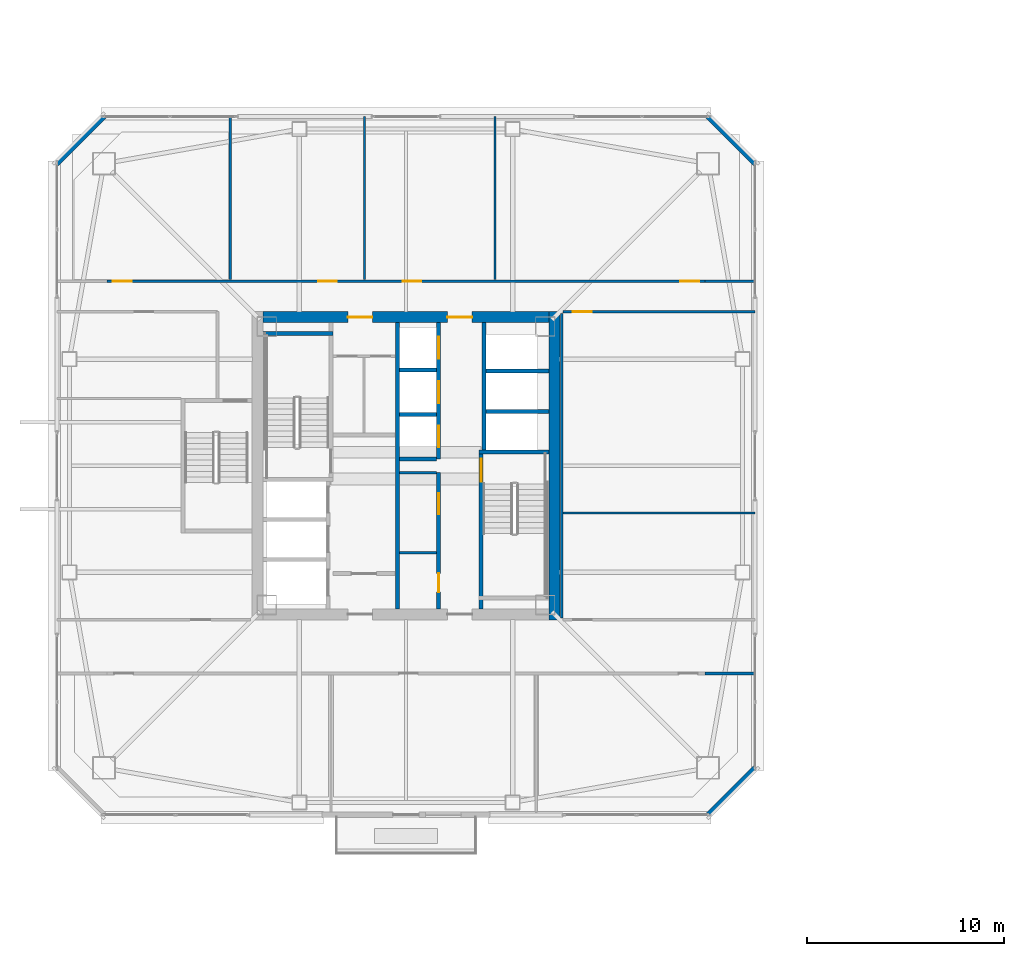
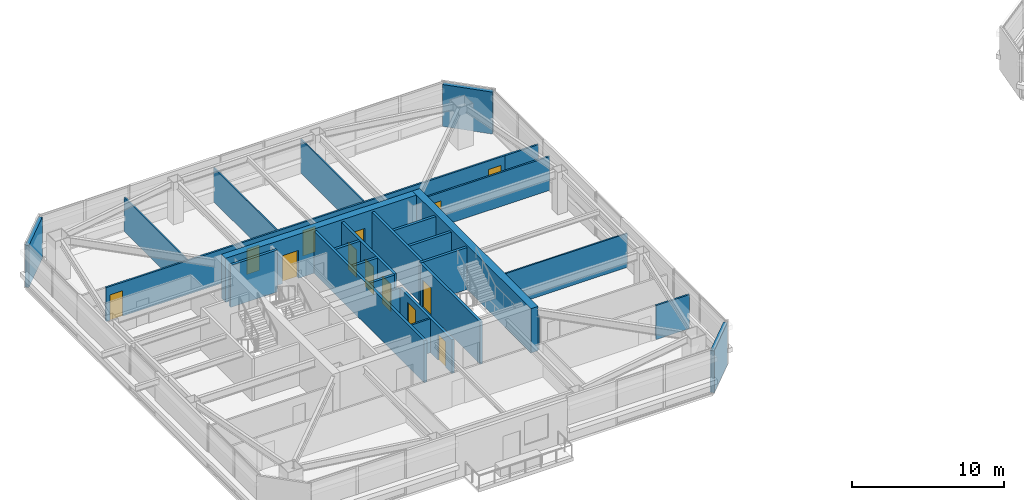
# One storey, part 35 of 44: 28 walls, 13 doors, 13 openings.
"""IFC4 building model written with IfcOpenShell, lengths in metres."""

from ifc_helpers import new_model, si_unit, direction, frame, frame_2d, origin, place, context, subcontext, project, spatial, rectangle, extrude, material, layer, layer_set, type_object, element, fill, save


model = new_model("IFC4")

# Units and contexts
model_context = context("Model", 3, precision=1e-05, world=origin(), true_north=direction((0.0, 1.0)))
body_context = subcontext(model_context, "Body", "Model", "MODEL_VIEW")
ifc_project = project(units=[si_unit("LENGTHUNIT", "METRE"), si_unit("AREAUNIT", "SQUARE_METRE"), si_unit("VOLUMEUNIT", "CUBIC_METRE"), si_unit("PLANEANGLEUNIT", "RADIAN"), si_unit("MASSUNIT", "GRAM", prefix="KILO")], contexts=[model_context])

# Site, building, storey
site_placement = place(None, origin())
site = spatial("IfcSite", under=ifc_project, at=site_placement, CompositionType="ELEMENT")
building_placement = place(site_placement, origin())
building = spatial("IfcBuilding", under=site, at=building_placement, Name="Tashvorn Skyway Center", CompositionType="ELEMENT")
storey_placement = place(building_placement, frame((0.0, 0.0, 181.85009765625)))
storey = spatial("IfcBuildingStorey", under=building, at=storey_placement, Name="L49", CompositionType="ELEMENT", Elevation=181.85009765625)

# Wall
ifc_material_1 = material(Name="Concrete C60/75", Category="concrete")
ifc_layer_1 = layer(ifc_material_1, 0.550048828125)
ifc_layer_set_1 = layer_set([ifc_layer_1], Name="Concrete C60/75")
wall_type_1 = type_object("IfcWallType", Name="WALL-CORE-550", PredefinedType="SHEAR", material=ifc_layer_set_1)
wall_1_placement = place(storey_placement, frame((49.52490234375, 39.800048828125, 0.0), z_axis=(0.0, 0.0, 1.0), x_axis=(0.0, -1.0, 0.0)))
element("IfcWall", 1, at=wall_1_placement, inside=storey, type_object=wall_type_1, Name="Tower 1 L49 East Core Shear Wall", PredefinedType="SHEAR", context=body_context, shape_type="SweptSolid", body=[
    extrude(rectangle(XDim=15.60009765625, YDim=0.550048828125, at=frame_2d((7.800048828125, 0.0))), origin(), (0.0, 0.0, 1.0), 3.5498046875),
])

# Wall, openings, doors
wall_2_placement = place(storey_placement, frame((34.75, 39.52490234375, 0.0), z_axis=(0.0, 0.0, 1.0), x_axis=(1.0, 0.0, 0.0)))
wall_2 = element("IfcWall", 2, at=wall_2_placement, inside=storey, type_object=wall_type_1, Name="Tower 1 L49 North Core Shear Wall", PredefinedType="SHEAR", context=body_context, shape_type="SweptSolid", body=[
    extrude(rectangle(XDim=14.5, YDim=0.550048828125, at=frame_2d((7.25, 0.0))), origin(), (0.0, 0.0, 1.0), 3.5498046875),
])
opening_1_placement = place(wall_2_placement, frame((4.300048828125, 0.0, 0.0)))
opening_1 = element("IfcOpeningElement", 3, at=opening_1_placement, cuts=wall_2, Name="Opening D-FFL-1250", PredefinedType="OPENING", context=body_context, shape_type="SweptSolid", body=[
    extrude(rectangle(XDim=1.25, YDim=2.25, at=frame_2d((0.625, 1.125))), frame((0.0, 0.284912109375, 0.0), z_axis=(0.0, -1.0, 0.0), x_axis=(1.0, 0.0, 0.0)), (0.0, 0.0, 1.0), 0.570068359375),
])
opening_2_placement = place(wall_2_placement, frame((9.35009765625, 0.0, 0.0)))
opening_2 = element("IfcOpeningElement", 4, at=opening_2_placement, cuts=wall_2, Name="Opening D-FFL-1250", PredefinedType="OPENING", context=body_context, shape_type="SweptSolid", body=[
    extrude(rectangle(XDim=1.25, YDim=2.25, at=frame_2d((0.625, 1.125))), frame((0.0, 0.284912109375, 0.0), z_axis=(0.0, -1.0, 0.0), x_axis=(1.0, 0.0, 0.0)), (0.0, 0.0, 1.0), 0.570068359375),
])
ifc_material_2 = material(Name="Hollow galvanized steel fire door assembly", Category="steel")
door_type_1 = type_object("IfcDoorType", Name="DOOR-FFL-1250", OperationType="NOTDEFINED", PredefinedType="DOOR", material=ifc_material_2)
door_1_placement = place(opening_1_placement, origin())
door_1 = element("IfcDoor", 5, at=door_1_placement, inside=storey, type_object=door_type_1, Name="Tower 1 L49 Core North Service Lobby Door", OperationType="SINGLE_SWING_LEFT", OverallHeight=2.25, OverallWidth=1.25, PredefinedType="DOOR", context=body_context, shape_type="SweptSolid", body=[
    extrude(rectangle(XDim=1.25, YDim=2.25, at=frame_2d((0.625, 1.125))), frame((0.0, 0.02490234375, 0.0), z_axis=(0.0, -1.0, 0.0), x_axis=(1.0, 0.0, 0.0)), (0.0, 0.0, 1.0), 0.050048828125),
])
fill(opening_1, door_1)
door_2_placement = place(opening_2_placement, origin())
door_2 = element("IfcDoor", 6, at=door_2_placement, inside=storey, type_object=door_type_1, Name="Tower 1 L49 Core North Lift Lobby Door", OperationType="SINGLE_SWING_RIGHT", OverallHeight=2.25, OverallWidth=1.25, PredefinedType="DOOR", context=body_context, shape_type="SweptSolid", body=[
    extrude(rectangle(XDim=1.25, YDim=2.25, at=frame_2d((0.625, 1.125))), frame((0.0, 0.02490234375, 0.0), z_axis=(0.0, -1.0, 0.0), x_axis=(1.0, 0.0, 0.0)), (0.0, 0.0, 1.0), 0.050048828125),
])
fill(opening_2, door_2)

# Walls
ifc_material_3 = material(Name="Precast concrete C40/50", Category="concrete")
ifc_layer_2 = layer(ifc_material_3, 0.280029296875)
ifc_layer_set_2 = layer_set([ifc_layer_2], Name="Precast concrete C40/50")
wall_type_2 = type_object("IfcWallType", Name="WALL-EXT-280", PredefinedType="SOLIDWALL", material=ifc_layer_set_2)
for number, where, z_axis, x_axis, name in (
    (7, (24.300048828125, 47.300048828125, 0.0), (0.0, 0.0, 1.0), (0.707106781187, 0.707106781187, 0.0), "Tower 1 L49 NW Precast Chamfer Wall"),
    (8, (57.300048828125, 49.699951171875, 0.0), (0.0, 0.0, 1.0), (0.707106781187, -0.707106781187, 0.0), "Tower 1 L49 NE Precast Chamfer Wall"),
    (9, (59.699951171875, 16.699951171875, 0.0), (0.0, 0.0, 1.0), (-0.707106781187, -0.707106781187, 0.0), "Tower 1 L49 SE Precast Chamfer Wall"),
):
    element("IfcWall", number, at=place(storey_placement, frame(where, z_axis=z_axis, x_axis=x_axis)), inside=storey, type_object=wall_type_2, Name=name, PredefinedType="SOLIDWALL", context=body_context, shape_type="SweptSolid", body=[
        extrude(rectangle(XDim=3.39404296875, YDim=0.280029296875, at=frame_2d((1.697021484375, 0.0))), origin(), (0.0, 0.0, 1.0), 3.369873046875),
    ])
ifc_material_4 = material(Name="Gypsum board on cold-formed steel stud framing", Category="steel")
ifc_layer_3 = layer(ifc_material_4, 0.110107421875)
ifc_layer_set_3 = layer_set([ifc_layer_3], Name="Gypsum board on cold-formed steel stud framing")
wall_type_3 = type_object("IfcWallType", Name="WALL-PART-110", PredefinedType="PARTITIONING", material=ifc_layer_set_3)
for number, where, z_axis, x_axis, name in (
    (10, (33.10009765625, 41.429931640625, 0.0), (0.0, 0.0, 1.0), (0.0, 1.0, 0.0), "Tower 1 L49 North Suite Partition 1"),
    (11, (39.89990234375, 41.429931640625, 0.0), (0.0, 0.0, 1.0), (0.0, 1.0, 0.0), "Tower 1 L49 North Suite Partition 2"),
    (12, (46.5, 41.429931640625, 0.0), (0.0, 0.0, 1.0), (0.0, 1.0, 0.0), "Tower 1 L49 North Suite Partition 3"),
):
    element("IfcWall", number, at=place(storey_placement, frame(where, z_axis=z_axis, x_axis=x_axis)), inside=storey, type_object=wall_type_3, Name=name, PredefinedType="PARTITIONING", context=body_context, shape_type="SweptSolid", body=[
        extrude(rectangle(XDim=8.25, YDim=0.110107421875, at=frame_2d((4.125, 0.0))), origin(), (0.0, 0.0, 1.0), 2.722900390625),
    ])
wall_3_placement = place(storey_placement, frame((49.9599609375, 29.60009765625, 0.0), z_axis=(0.0, 0.0, 1.0), x_axis=(1.0, 0.0, 0.0)))
element("IfcWall", 13, at=wall_3_placement, inside=storey, type_object=wall_type_3, Name="Tower 1 L49 East Mid Partition", PredefinedType="PARTITIONING", context=body_context, shape_type="SweptSolid", body=[
    extrude(rectangle(XDim=9.719970703125, YDim=0.110107421875, at=frame_2d((4.85986328125, 0.0))), origin(), (0.0, 0.0, 1.0), 2.722900390625),
])

# Wall, openings, doors
ifc_layer_4 = layer(ifc_material_4, 0.135009765625)
ifc_layer_set_4 = layer_set([ifc_layer_4], Name="Gypsum board on cold-formed steel stud framing")
wall_type_4 = type_object("IfcWallType", Name="WALL-PART-135", PredefinedType="PARTITIONING", material=ifc_layer_set_4)
wall_4_placement = place(storey_placement, frame((26.85009765625, 41.35009765625, 0.0), z_axis=(0.0, 0.0, 1.0), x_axis=(1.0, 0.0, 0.0)))
wall_4 = element("IfcWall", 14, at=wall_4_placement, inside=storey, type_object=wall_type_4, Name="Tower 1 L49 North Suite Wall", PredefinedType="PARTITIONING", context=body_context, shape_type="SweptSolid", body=[
    extrude(rectangle(XDim=30.2998046875, YDim=0.135009765625, at=frame_2d((15.14990234375, 0.0))), origin(), (0.0, 0.0, 1.0), 2.722900390625),
])
opening_3_placement = place(wall_4_placement, frame((0.300048828125, 0.0, 0.0)))
opening_3 = element("IfcOpeningElement", 15, at=opening_3_placement, cuts=wall_4, Name="Opening D-INT-950", PredefinedType="OPENING", context=body_context, shape_type="SweptSolid", body=[
    extrude(rectangle(XDim=0.949951171875, YDim=2.050048828125, at=frame_2d((0.47509765625, 1.02490234375))), frame((0.0, 0.077392578125, 0.0), z_axis=(0.0, -1.0, 0.0), x_axis=(1.0, 0.0, 0.0)), (0.0, 0.0, 1.0), 0.155029296875),
])
opening_4_placement = place(wall_4_placement, frame((10.701904296875, 0.0, 0.0)))
opening_4 = element("IfcOpeningElement", 16, at=opening_4_placement, cuts=wall_4, Name="Opening D-INT-950", PredefinedType="OPENING", context=body_context, shape_type="SweptSolid", body=[
    extrude(rectangle(XDim=0.949951171875, YDim=2.050048828125, at=frame_2d((0.47509765625, 1.02490234375))), frame((0.0, 0.077392578125, 0.0), z_axis=(0.0, -1.0, 0.0), x_axis=(1.0, 0.0, 0.0)), (0.0, 0.0, 1.0), 0.155029296875),
])
opening_5_placement = place(wall_4_placement, frame((14.97412109375, 0.0, 0.0)))
opening_5 = element("IfcOpeningElement", 17, at=opening_5_placement, cuts=wall_4, Name="Opening D-INT-950", PredefinedType="OPENING", context=body_context, shape_type="SweptSolid", body=[
    extrude(rectangle(XDim=0.949951171875, YDim=2.050048828125, at=frame_2d((0.47509765625, 1.02490234375))), frame((0.0, 0.077392578125, 0.0), z_axis=(0.0, -1.0, 0.0), x_axis=(1.0, 0.0, 0.0)), (0.0, 0.0, 1.0), 0.155029296875),
])
opening_6_placement = place(wall_4_placement, frame((29.050048828125, 0.0, 0.0)))
opening_6 = element("IfcOpeningElement", 18, at=opening_6_placement, cuts=wall_4, Name="Opening D-INT-950", PredefinedType="OPENING", context=body_context, shape_type="SweptSolid", body=[
    extrude(rectangle(XDim=0.949951171875, YDim=2.050048828125, at=frame_2d((0.47509765625, 1.02490234375))), frame((0.0, 0.077392578125, 0.0), z_axis=(0.0, -1.0, 0.0), x_axis=(1.0, 0.0, 0.0)), (0.0, 0.0, 1.0), 0.155029296875),
])
ifc_material_5 = material(Name="Solid-core architectural oak veneer door")
door_type_2 = type_object("IfcDoorType", Name="DOOR-INT-950", OperationType="NOTDEFINED", PredefinedType="DOOR", material=ifc_material_5)
door_3_placement = place(opening_3_placement, origin())
door_3 = element("IfcDoor", 19, at=door_3_placement, inside=storey, type_object=door_type_2, Name="Tower 1 L49 Conference Room Door", OperationType="SINGLE_SWING_RIGHT", OverallHeight=2.050048828125, OverallWidth=0.949951171875, PredefinedType="DOOR", context=body_context, shape_type="SweptSolid", body=[
    extrude(rectangle(XDim=0.949951171875, YDim=2.050048828125, at=frame_2d((0.47509765625, 1.02490234375))), frame((0.0, 0.02490234375, 0.0), z_axis=(0.0, -1.0, 0.0), x_axis=(1.0, 0.0, 0.0)), (0.0, 0.0, 1.0), 0.050048828125),
])
fill(opening_3, door_3)
door_4_placement = place(opening_4_placement, origin())
door_4 = element("IfcDoor", 20, at=door_4_placement, inside=storey, type_object=door_type_2, Name="Tower 1 L49 Conference Room Door", OperationType="SINGLE_SWING_LEFT", OverallHeight=2.050048828125, OverallWidth=0.949951171875, PredefinedType="DOOR", context=body_context, shape_type="SweptSolid", body=[
    extrude(rectangle(XDim=0.949951171875, YDim=2.050048828125, at=frame_2d((0.47509765625, 1.02490234375))), frame((0.0, 0.02490234375, 0.0), z_axis=(0.0, -1.0, 0.0), x_axis=(1.0, 0.0, 0.0)), (0.0, 0.0, 1.0), 0.050048828125),
])
fill(opening_4, door_4)
door_5_placement = place(opening_5_placement, origin())
door_5 = element("IfcDoor", 21, at=door_5_placement, inside=storey, type_object=door_type_2, Name="Tower 1 L49 Design Studio Door", OperationType="SINGLE_SWING_RIGHT", OverallHeight=2.050048828125, OverallWidth=0.949951171875, PredefinedType="DOOR", context=body_context, shape_type="SweptSolid", body=[
    extrude(rectangle(XDim=0.949951171875, YDim=2.050048828125, at=frame_2d((0.47509765625, 1.02490234375))), frame((0.0, 0.02490234375, 0.0), z_axis=(0.0, -1.0, 0.0), x_axis=(1.0, 0.0, 0.0)), (0.0, 0.0, 1.0), 0.050048828125),
])
fill(opening_5, door_5)
door_6_placement = place(opening_6_placement, origin())
door_6 = element("IfcDoor", 22, at=door_6_placement, inside=storey, type_object=door_type_2, Name="Tower 1 L49 Gallery Showroom Door", OperationType="SINGLE_SWING_LEFT", OverallHeight=2.050048828125, OverallWidth=0.949951171875, PredefinedType="DOOR", context=body_context, shape_type="SweptSolid", body=[
    extrude(rectangle(XDim=0.949951171875, YDim=2.050048828125, at=frame_2d((0.47509765625, 1.02490234375))), frame((0.0, 0.02490234375, 0.0), z_axis=(0.0, -1.0, 0.0), x_axis=(1.0, 0.0, 0.0)), (0.0, 0.0, 1.0), 0.050048828125),
])
fill(opening_6, door_6)

# Walls
for number, where, z_axis, x_axis, name in (
    (23, (57.14990234375, 41.35009765625, 0.0), (0.0, 0.0, 1.0), (1.0, 0.0, 0.0), "Tower 1 L49 North-East Suite South Wall"),
    (24, (57.14990234375, 21.47998046875, 0.0), (0.0, 0.0, 1.0), (1.0, 0.0, 0.0), "Tower 1 L49 South-East Suite North Wall"),
):
    element("IfcWall", number, at=place(storey_placement, frame(where, z_axis=z_axis, x_axis=x_axis)), inside=storey, type_object=wall_type_4, Name=name, PredefinedType="PARTITIONING", context=body_context, shape_type="SweptSolid", body=[
        extrude(rectangle(XDim=2.530029296875, YDim=0.135009765625, at=frame_2d((1.26513671875, 0.0))), origin(), (0.0, 0.0, 1.0), 2.722900390625),
    ])
wall_5_placement = place(storey_placement, frame((49.8798828125, 39.719970703125, 0.0), z_axis=(0.0, 0.0, 1.0), x_axis=(0.0, -1.0, 0.0)))
element("IfcWall", 25, at=wall_5_placement, inside=storey, type_object=wall_type_4, Name="Tower 1 L49 East Inner Suite Wall", PredefinedType="PARTITIONING", context=body_context, shape_type="SweptSolid", body=[
    extrude(rectangle(XDim=15.43994140625, YDim=0.135009765625, at=frame_2d((7.719970703125, 0.0))), origin(), (0.0, 0.0, 1.0), 2.722900390625),
])

# Wall, opening, door
wall_6_placement = place(storey_placement, frame((59.679931640625, 39.800048828125, 0.0), z_axis=(0.0, 0.0, 1.0), x_axis=(-1.0, 0.0, 0.0)))
wall_6 = element("IfcWall", 26, at=wall_6_placement, inside=storey, type_object=wall_type_4, Name="Tower 1 L49 East Suite North Wall", PredefinedType="PARTITIONING", context=body_context, shape_type="SweptSolid", body=[
    extrude(rectangle(XDim=9.719970703125, YDim=0.135009765625, at=frame_2d((4.85986328125, 0.0))), origin(), (0.0, 0.0, 1.0), 2.722900390625),
])
opening_7_placement = place(wall_6_placement, frame((8.280029296875, 0.0, 0.0)))
opening_7 = element("IfcOpeningElement", 27, at=opening_7_placement, cuts=wall_6, Name="Opening D-INT-950", PredefinedType="OPENING", context=body_context, shape_type="SweptSolid", body=[
    extrude(rectangle(XDim=0.949951171875, YDim=2.050048828125, at=frame_2d((0.47509765625, 1.02490234375))), frame((0.0, 0.077392578125, 0.0), z_axis=(0.0, -1.0, 0.0), x_axis=(1.0, 0.0, 0.0)), (0.0, 0.0, 1.0), 0.155029296875),
])
door_7_placement = place(opening_7_placement, origin())
door_7 = element("IfcDoor", 28, at=door_7_placement, inside=storey, type_object=door_type_2, Name="Tower 1 L49 Gallery Showroom Door", OperationType="SINGLE_SWING_LEFT", OverallHeight=2.050048828125, OverallWidth=0.949951171875, PredefinedType="DOOR", context=body_context, shape_type="SweptSolid", body=[
    extrude(rectangle(XDim=0.949951171875, YDim=2.050048828125, at=frame_2d((0.47509765625, 1.02490234375))), frame((0.0, 0.02490234375, 0.0), z_axis=(0.0, -1.0, 0.0), x_axis=(1.0, 0.0, 0.0)), (0.0, 0.0, 1.0), 0.050048828125),
])
fill(opening_7, door_7)

# Walls
ifc_layer_5 = layer(ifc_material_4, 0.135009765625)
ifc_layer_set_5 = layer_set([ifc_layer_5], Name="Gypsum board on cold-formed steel stud framing")
wall_type_5 = type_object("IfcWallType", Name="WALL-RATED-135", PredefinedType="PARTITIONING", material=ifc_layer_set_5)
for number, where, z_axis, x_axis, name in (
    (29, (41.669921875, 31.64990234375, 0.0), (0.0, 0.0, 1.0), (1.0, 0.0, 0.0), "Tower 1 L49 Core Room Partition"),
    (30, (41.669921875, 27.60009765625, 0.0), (0.0, 0.0, 1.0), (1.0, 0.0, 0.0), "Tower 1 L49 Freed Core Partition"),
):
    element("IfcWall", number, at=place(storey_placement, frame(where, z_axis=z_axis, x_axis=x_axis)), inside=storey, type_object=wall_type_5, Name=name, PredefinedType="PARTITIONING", context=body_context, shape_type="SweptSolid", body=[
        extrude(rectangle(XDim=1.880126953125, YDim=0.135009765625, at=frame_2d((0.93994140625, 0.0))), origin(), (0.0, 0.0, 1.0), 2.722900390625),
    ])
ifc_material_6 = material(Name="Concrete C40/50", Category="concrete")
ifc_layer_6 = layer(ifc_material_6, 0.199951171875)
ifc_layer_set_6 = layer_set([ifc_layer_6], Name="Concrete C40/50")
wall_type_6 = type_object("IfcWallType", Name="WALL-SHAFT-200", PredefinedType="SOLIDWALL", material=ifc_layer_set_6)
for number, where, z_axis, x_axis, name in (
    (31, (46.050048828125, 34.75, 0.0), (0.0, 0.0, 1.0), (1.0, 0.0, 0.0), "Tower 1 L49 High-Rise Shaft Divider"),
    (32, (46.050048828125, 36.800048828125, 0.0), (0.0, 0.0, 1.0), (1.0, 0.0, 0.0), "Tower 1 L49 High-Rise Shaft Divider"),
):
    element("IfcWall", number, at=place(storey_placement, frame(where, z_axis=z_axis, x_axis=x_axis)), inside=storey, type_object=wall_type_6, Name=name, PredefinedType="SOLIDWALL", context=body_context, shape_type="SweptSolid", body=[
        extrude(rectangle(XDim=3.199951171875, YDim=0.199951171875, at=frame_2d((1.60009765625, 0.0))), origin(), (0.0, 0.0, 1.0), 3.369873046875),
    ])

# Wall, openings, doors
wall_7_placement = place(storey_placement, frame((43.64990234375, 24.75, 0.0), z_axis=(0.0, 0.0, 1.0), x_axis=(0.0, 1.0, 0.0)))
wall_7 = element("IfcWall", 33, at=wall_7_placement, inside=storey, type_object=wall_type_6, Name="Tower 1 L49 Low-Rise Core Wall", PredefinedType="SOLIDWALL", context=body_context, shape_type="SweptSolid", body=[
    extrude(rectangle(XDim=6.89990234375, YDim=0.199951171875, at=frame_2d((3.449951171875, 0.0))), origin(), (0.0, 0.0, 1.0), 2.722900390625),
])
opening_8_placement = place(wall_7_placement, frame((0.85009765625, 0.0, 0.0)))
opening_8 = element("IfcOpeningElement", 34, at=opening_8_placement, cuts=wall_7, Name="Opening D-RT-950", PredefinedType="OPENING", context=body_context, shape_type="SweptSolid", body=[
    extrude(rectangle(XDim=0.949951171875, YDim=2.050048828125, at=frame_2d((0.47509765625, 1.02490234375))), frame((0.0, 0.10986328125, 0.0), z_axis=(0.0, -1.0, 0.0), x_axis=(1.0, 0.0, 0.0)), (0.0, 0.0, 1.0), 0.219970703125),
])
opening_9_placement = place(wall_7_placement, frame((4.800048828125, 0.0, 0.0)))
opening_9 = element("IfcOpeningElement", 35, at=opening_9_placement, cuts=wall_7, Name="Opening D-RT-1050", PredefinedType="OPENING", context=body_context, shape_type="SweptSolid", body=[
    extrude(rectangle(XDim=1.050048828125, YDim=2.199951171875, at=frame_2d((0.52490234375, 1.10009765625))), frame((0.0, 0.10986328125, 0.0), z_axis=(0.0, -1.0, 0.0), x_axis=(1.0, 0.0, 0.0)), (0.0, 0.0, 1.0), 0.219970703125),
])
door_type_3 = type_object("IfcDoorType", Name="DOOR-RATED-1050", OperationType="NOTDEFINED", PredefinedType="DOOR", material=ifc_material_2)
door_8_placement = place(opening_9_placement, origin())
door_8 = element("IfcDoor", 36, at=door_8_placement, inside=storey, type_object=door_type_3, Name="Tower 1 L49 Freed Core Room Door", OperationType="SINGLE_SWING_RIGHT", OverallHeight=2.199951171875, OverallWidth=1.050048828125, PredefinedType="DOOR", context=body_context, shape_type="SweptSolid", body=[
    extrude(rectangle(XDim=1.050048828125, YDim=2.199951171875, at=frame_2d((0.52490234375, 1.10009765625))), frame((0.0, 0.02490234375, 0.0), z_axis=(0.0, -1.0, 0.0), x_axis=(1.0, 0.0, 0.0)), (0.0, 0.0, 1.0), 0.050048828125),
])
fill(opening_9, door_8)
door_type_4 = type_object("IfcDoorType", Name="DOOR-RATED-950", OperationType="NOTDEFINED", PredefinedType="DOOR", material=ifc_material_2)
door_9_placement = place(opening_8_placement, origin())
door_9 = element("IfcDoor", 37, at=door_9_placement, inside=storey, type_object=door_type_4, Name="Tower 1 L49 Core Print Room Door", OperationType="SINGLE_SWING_LEFT", OverallHeight=2.050048828125, OverallWidth=0.949951171875, PredefinedType="DOOR", context=body_context, shape_type="SweptSolid", body=[
    extrude(rectangle(XDim=0.949951171875, YDim=2.050048828125, at=frame_2d((0.47509765625, 1.02490234375))), frame((0.0, 0.02490234375, 0.0), z_axis=(0.0, -1.0, 0.0), x_axis=(1.0, 0.0, 0.0)), (0.0, 0.0, 1.0), 0.050048828125),
])
fill(opening_8, door_9)

wall_8_placement = place(storey_placement, frame((43.64990234375, 32.35009765625, 0.0), z_axis=(0.0, 0.0, 1.0), x_axis=(0.0, 1.0, 0.0)))
wall_8 = element("IfcWall", 38, at=wall_8_placement, inside=storey, type_object=wall_type_6, Name="Tower 1 L49 Mid-Rise Core Wall", PredefinedType="SOLIDWALL", context=body_context, shape_type="SweptSolid", body=[
    extrude(rectangle(XDim=6.89990234375, YDim=0.199951171875, at=frame_2d((3.449951171875, 0.0))), origin(), (0.0, 0.0, 1.0), 3.369873046875),
])
opening_10_placement = place(wall_8_placement, frame((0.574951171875, 0.0, 0.0)))
opening_10 = element("IfcOpeningElement", 39, at=opening_10_placement, cuts=wall_8, Name="Opening LD-MR-T1-1-L49", PredefinedType="OPENING", context=body_context, shape_type="SweptSolid", body=[
    extrude(rectangle(XDim=1.10009765625, YDim=2.199951171875, at=frame_2d((0.550048828125, 1.10009765625))), frame((0.0, 0.10986328125, 0.0), z_axis=(0.0, -1.0, 0.0), x_axis=(1.0, 0.0, 0.0)), (0.0, 0.0, 1.0), 0.219970703125),
])
opening_11_placement = place(wall_8_placement, frame((2.824951171875, 0.0, 0.0)))
opening_11 = element("IfcOpeningElement", 40, at=opening_11_placement, cuts=wall_8, Name="Opening LD-MR-T1-2-L49", PredefinedType="OPENING", context=body_context, shape_type="SweptSolid", body=[
    extrude(rectangle(XDim=1.10009765625, YDim=2.199951171875, at=frame_2d((0.550048828125, 1.10009765625))), frame((0.0, 0.10986328125, 0.0), z_axis=(0.0, -1.0, 0.0), x_axis=(1.0, 0.0, 0.0)), (0.0, 0.0, 1.0), 0.219970703125),
])
opening_12_placement = place(wall_8_placement, frame((5.074951171875, 0.0, 0.0)))
opening_12 = element("IfcOpeningElement", 41, at=opening_12_placement, cuts=wall_8, Name="Opening LD-MR-T1-3-L49", PredefinedType="OPENING", context=body_context, shape_type="SweptSolid", body=[
    extrude(rectangle(XDim=1.10009765625, YDim=2.199951171875, at=frame_2d((0.550048828125, 1.10009765625))), frame((0.0, 0.10986328125, 0.0), z_axis=(0.0, -1.0, 0.0), x_axis=(1.0, 0.0, 0.0)), (0.0, 0.0, 1.0), 0.219970703125),
])
ifc_material_7 = material(Name="Stainless steel landing door", Category="steel")
door_type_5 = type_object("IfcDoorType", Name="DOOR-LIFT-1100", OperationType="SLIDING_TO_LEFT", PredefinedType="DOOR", material=ifc_material_7)
door_10_placement = place(opening_10_placement, origin())
door_10 = element("IfcDoor", 42, at=door_10_placement, inside=storey, type_object=door_type_5, Name="Lift MR-T1-1 L49 Landing Door", OperationType="SLIDING_TO_LEFT", OverallHeight=2.199951171875, OverallWidth=1.10009765625, PredefinedType="DOOR", context=body_context, shape_type="SweptSolid", body=[
    extrude(rectangle(XDim=1.10009765625, YDim=2.199951171875, at=frame_2d((0.550048828125, 1.10009765625))), frame((0.0, 0.02490234375, 0.0), z_axis=(0.0, -1.0, 0.0), x_axis=(1.0, 0.0, 0.0)), (0.0, 0.0, 1.0), 0.050048828125),
])
fill(opening_10, door_10)
door_11_placement = place(opening_11_placement, origin())
door_11 = element("IfcDoor", 43, at=door_11_placement, inside=storey, type_object=door_type_5, Name="Lift MR-T1-2 L49 Landing Door", OperationType="SLIDING_TO_LEFT", OverallHeight=2.199951171875, OverallWidth=1.10009765625, PredefinedType="DOOR", context=body_context, shape_type="SweptSolid", body=[
    extrude(rectangle(XDim=1.10009765625, YDim=2.199951171875, at=frame_2d((0.550048828125, 1.10009765625))), frame((0.0, 0.02490234375, 0.0), z_axis=(0.0, -1.0, 0.0), x_axis=(1.0, 0.0, 0.0)), (0.0, 0.0, 1.0), 0.050048828125),
])
fill(opening_11, door_11)
door_12_placement = place(opening_12_placement, origin())
door_12 = element("IfcDoor", 44, at=door_12_placement, inside=storey, type_object=door_type_5, Name="Lift MR-T1-3 L49 Landing Door", OperationType="SLIDING_TO_LEFT", OverallHeight=2.199951171875, OverallWidth=1.10009765625, PredefinedType="DOOR", context=body_context, shape_type="SweptSolid", body=[
    extrude(rectangle(XDim=1.10009765625, YDim=2.199951171875, at=frame_2d((0.550048828125, 1.10009765625))), frame((0.0, 0.02490234375, 0.0), z_axis=(0.0, -1.0, 0.0), x_axis=(1.0, 0.0, 0.0)), (0.0, 0.0, 1.0), 0.050048828125),
])
fill(opening_12, door_12)

# Walls
for number, where, z_axis, x_axis, name in (
    (45, (41.669921875, 32.35009765625, 0.0), (0.0, 0.0, 1.0), (1.0, 0.0, 0.0), "Tower 1 L49 Mid-Rise Shaft Divider"),
    (46, (41.669921875, 34.60009765625, 0.0), (0.0, 0.0, 1.0), (1.0, 0.0, 0.0), "Tower 1 L49 Mid-Rise Shaft Divider"),
    (47, (41.669921875, 36.85009765625, 0.0), (0.0, 0.0, 1.0), (1.0, 0.0, 0.0), "Tower 1 L49 Mid-Rise Shaft Divider"),
):
    element("IfcWall", number, at=place(storey_placement, frame(where, z_axis=z_axis, x_axis=x_axis)), inside=storey, type_object=wall_type_6, Name=name, PredefinedType="SOLIDWALL", context=body_context, shape_type="SweptSolid", body=[
        extrude(rectangle(XDim=1.880126953125, YDim=0.199951171875, at=frame_2d((0.93994140625, 0.0))), origin(), (0.0, 0.0, 1.0), 3.369873046875),
    ])
ifc_layer_7 = layer(ifc_material_6, 0.199951171875)
ifc_layer_set_7 = layer_set([ifc_layer_7], Name="Concrete C40/50")
wall_type_7 = type_object("IfcWallType", Name="WALL-STSHF-200", PredefinedType="SHEAR", material=ifc_layer_set_7)
wall_9_placement = place(storey_placement, frame((34.75, 38.699951171875, 0.0), z_axis=(0.0, 0.0, 1.0), x_axis=(1.0, 0.0, 0.0)))
element("IfcWall", 48, at=wall_9_placement, inside=storey, type_object=wall_type_7, Name="Tower 1 L49 Stair 1 North Wall", PredefinedType="SHEAR", context=body_context, shape_type="SweptSolid", body=[
    extrude(rectangle(XDim=3.550048828125, YDim=0.199951171875, at=frame_2d((1.77490234375, 0.0))), origin(), (0.0, 0.0, 1.0), 3.369873046875),
])

# Wall, opening, door
wall_10_placement = place(storey_placement, frame((45.800048828125, 32.800048828125, 0.0), z_axis=(0.0, 0.0, 1.0), x_axis=(0.0, -1.0, 0.0)))
wall_10 = element("IfcWall", 49, at=wall_10_placement, inside=storey, type_object=wall_type_7, Name="Tower 1 L49 Stair 2 Enclosure Wall", PredefinedType="SHEAR", context=body_context, shape_type="SweptSolid", body=[
    extrude(rectangle(XDim=8.050048828125, YDim=0.199951171875, at=frame_2d((4.02490234375, 0.0))), origin(), (0.0, 0.0, 1.0), 3.369873046875),
])
opening_13_placement = place(wall_10_placement, frame((0.449951171875, 0.0, 0.0)))
opening_13 = element("IfcOpeningElement", 50, at=opening_13_placement, cuts=wall_10, Name="Opening D-ST-1150", PredefinedType="OPENING", context=body_context, shape_type="SweptSolid", body=[
    extrude(rectangle(XDim=1.14990234375, YDim=2.199951171875, at=frame_2d((0.574951171875, 1.10009765625))), frame((0.0, 0.10986328125, 0.0), z_axis=(0.0, -1.0, 0.0), x_axis=(1.0, 0.0, 0.0)), (0.0, 0.0, 1.0), 0.219970703125),
])
door_type_6 = type_object("IfcDoorType", Name="DOOR-STAIR-1150", OperationType="NOTDEFINED", PredefinedType="DOOR", material=ifc_material_2)
door_13_placement = place(opening_13_placement, origin())
door_13 = element("IfcDoor", 51, at=door_13_placement, inside=storey, type_object=door_type_6, Name="Tower 1 L49 Exit Stair 2 Door", OperationType="SINGLE_SWING_RIGHT", OverallHeight=2.199951171875, OverallWidth=1.14990234375, PredefinedType="DOOR", context=body_context, shape_type="SweptSolid", body=[
    extrude(rectangle(XDim=1.14990234375, YDim=2.199951171875, at=frame_2d((0.574951171875, 1.10009765625))), frame((0.0, 0.02490234375, 0.0), z_axis=(0.0, -1.0, 0.0), x_axis=(1.0, 0.0, 0.0)), (0.0, 0.0, 1.0), 0.050048828125),
])
fill(opening_13, door_13)

# Walls
wall_11_placement = place(storey_placement, frame((45.699951171875, 32.699951171875, 0.0), z_axis=(0.0, 0.0, 1.0), x_axis=(1.0, 0.0, 0.0)))
element("IfcWall", 52, at=wall_11_placement, inside=storey, type_object=wall_type_7, Name="Tower 1 L49 Stair 2 North Wall", PredefinedType="SHEAR", context=body_context, shape_type="SweptSolid", body=[
    extrude(rectangle(XDim=3.550048828125, YDim=0.199951171875, at=frame_2d((1.77490234375, 0.0))), origin(), (0.0, 0.0, 1.0), 3.369873046875),
])
wall_12_placement = place(storey_placement, frame((41.56005859375, 24.75, 0.0), z_axis=(0.0, 0.0, 1.0), x_axis=(0.0, 1.0, 0.0)))
element("IfcWall", 53, at=wall_12_placement, inside=storey, type_object=wall_type_7, Name="Tower 1 L49 Firefighting Lobby East Smoke Barrier", PredefinedType="SHEAR", context=body_context, shape_type="SweptSolid", body=[
    extrude(rectangle(XDim=14.5, YDim=0.199951171875, at=frame_2d((7.25, 0.0))), origin(), (0.0, 0.0, 1.0), 3.369873046875),
])
wall_13_placement = place(storey_placement, frame((45.949951171875, 39.25, 0.0), z_axis=(0.0, 0.0, 1.0), x_axis=(0.0, -1.0, 0.0)))
element("IfcWall", 54, at=wall_13_placement, inside=storey, type_object=wall_type_7, Name="Tower 1 L49 High-Rise Lift Shaft Front Wall", PredefinedType="SHEAR", context=body_context, shape_type="SweptSolid", body=[
    extrude(rectangle(XDim=6.449951171875, YDim=0.199951171875, at=frame_2d((3.22509765625, 0.0))), origin(), (0.0, 0.0, 1.0), 3.369873046875),
])

save(model, "model.ifc")
